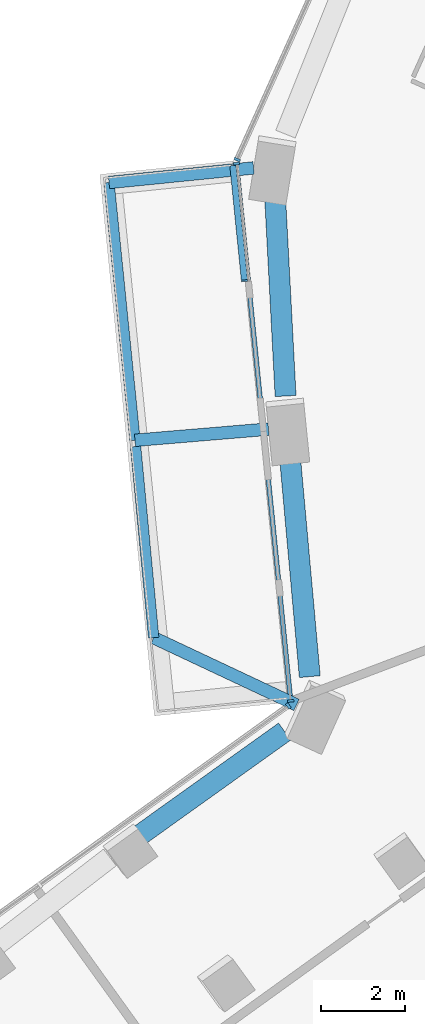
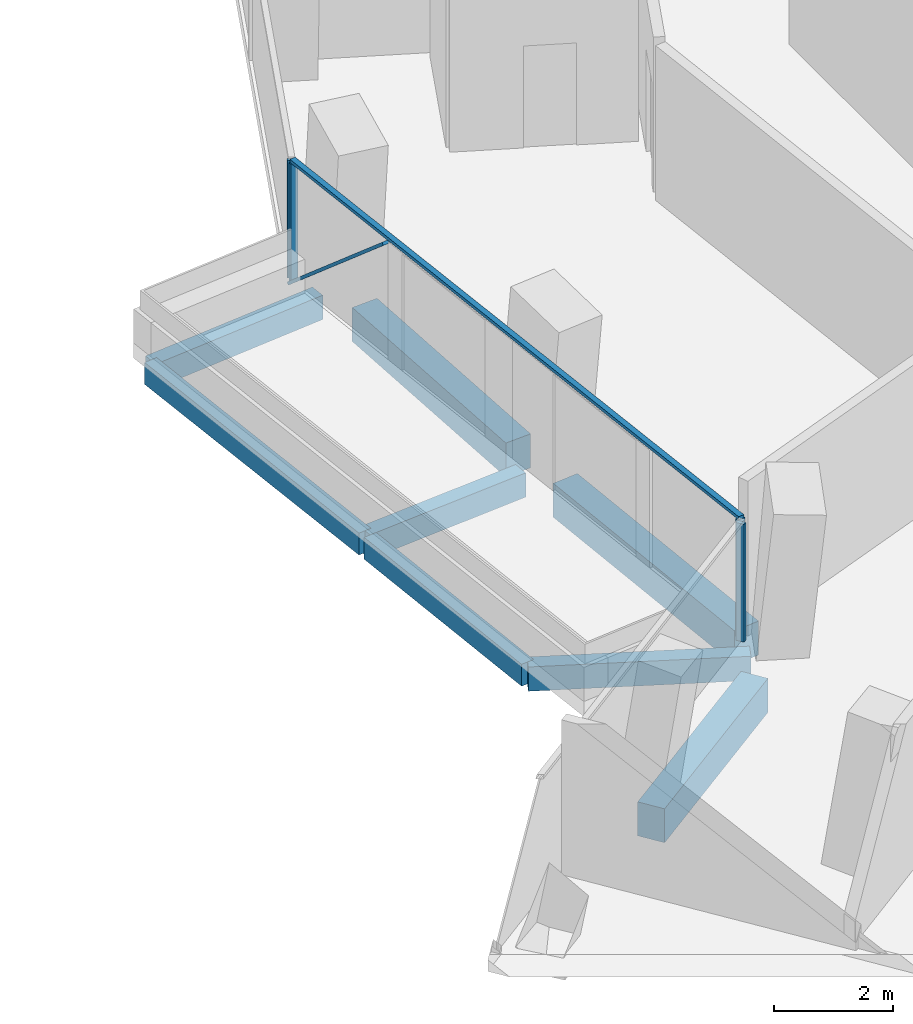
# One storey, part 4 of 26: 8 beams, 6 members, 3 elements without a shape of their own.
"""IFC4 building model written with IfcOpenShell, lengths in metres."""

from ifc_helpers import new_model, si_unit, direction, frame, origin, origin_2d, place, context, subcontext, project, spatial, rectangle, extrude, material, layer, layer_set, material_profile, profile_set, type_object, element, aggregate, save


model = new_model("IFC4")

# Units and contexts
model_context = context("Model", 3, precision=1e-05, world=origin(), true_north=direction((0.0, 1.0)))
body_context = subcontext(model_context, "Body", "Model", "MODEL_VIEW")
ifc_project = project(units=[si_unit("LENGTHUNIT", "METRE"), si_unit("AREAUNIT", "SQUARE_METRE"), si_unit("VOLUMEUNIT", "CUBIC_METRE"), si_unit("PLANEANGLEUNIT", "RADIAN"), si_unit("MASSUNIT", "GRAM", prefix="KILO")], contexts=[model_context])

# Site, building, storey
site_placement = place(None, origin())
site = spatial("IfcSite", under=ifc_project, at=site_placement, CompositionType="ELEMENT")
building_placement = place(site_placement, origin())
building = spatial("IfcBuilding", under=site, at=building_placement, Name="Verdalira Terraces Hotel", CompositionType="ELEMENT")
storey_placement = place(building_placement, frame((0.0, 0.0, 56.5)))
storey = spatial("IfcBuildingStorey", under=building, at=storey_placement, Name="L12", CompositionType="ELEMENT", Elevation=56.5)

# Beams
ifc_material_1 = material(Name="Concrete C40", Category="concrete")
ifc_material_profile_1 = material_profile(ifc_material_1, rectangle(XDim=0.300049, YDim=0.5, at=origin_2d()), Name="RC 300X500")
ifc_profile_set_1 = profile_set([ifc_material_profile_1], Name="Concrete C40")
beam_type_1 = type_object("IfcBeamType", Name="Balcony cantilever beam RC 300X500 C40", PredefinedType="BEAM", material=ifc_profile_set_1)
beam_1_placement = place(storey_placement, frame((-24.297607, 3.866211, -0.560059), z_axis=(-0.994951173, -0.10036017, 0.0), x_axis=(0.10036017, -0.994951173, 0.0)))
element("IfcBeam", 1, at=beam_1_placement, inside=storey, type_object=beam_type_1, Name="Balcony cantilever beam R13-1", PredefinedType="BEAM", context=body_context, shape_type="SweptSolid", body=[
    extrude(rectangle(XDim=0.300049, YDim=0.5, at=origin_2d()), origin(), (0.0, 0.0, 1.0), 3.471436),
])
beam_2_placement = place(storey_placement, frame((-23.940918, -2.37207, -0.560059), z_axis=(-0.996492953, -0.083676728, 0.0), x_axis=(0.083676728, -0.996492953, 0.0)))
element("IfcBeam", 2, at=beam_2_placement, inside=storey, type_object=beam_type_1, Name="Balcony cantilever beam R13-2", PredefinedType="BEAM", context=body_context, shape_type="SweptSolid", body=[
    extrude(rectangle(XDim=0.300049, YDim=0.5, at=origin_2d()), origin(), (0.0, 0.0, 1.0), 3.200684),
])
beam_3_placement = place(storey_placement, frame((-23.272217, -8.960693, -0.560059), z_axis=(-0.90482017, 0.425793918, 0.0), x_axis=(-0.425793918, -0.90482017, 0.0)))
element("IfcBeam", 3, at=beam_3_placement, inside=storey, type_object=beam_type_1, Name="Balcony cantilever beam R13-3", PredefinedType="BEAM", context=body_context, shape_type="SweptSolid", body=[
    extrude(rectangle(XDim=0.300049, YDim=0.5, at=origin_2d()), origin(), (0.0, 0.0, 1.0), 3.77002),
])
ifc_material_2 = material(Name="Concrete C40", Category="concrete")
ifc_material_profile_2 = material_profile(ifc_material_2, rectangle(XDim=0.25, YDim=0.449951, at=origin_2d()), Name="RC 250X450")
ifc_profile_set_2 = profile_set([ifc_material_profile_2], Name="Concrete C40")
beam_type_2 = type_object("IfcBeamType", Name="Balcony edge beam RC 250X450 C40", PredefinedType="BEAM", material=ifc_profile_set_2)
beam_4_placement = place(storey_placement, frame((-27.751465, 3.517822, -0.534912), z_axis=(0.10035513, -0.994951681, 0.0), x_axis=(0.994951681, 0.10035513, 0.0)))
element("IfcBeam", 4, at=beam_4_placement, inside=storey, type_object=beam_type_2, Name="Balcony edge beam R13-1", PredefinedType="BEAM", context=body_context, shape_type="SweptSolid", body=[
    extrude(rectangle(XDim=0.25, YDim=0.449951, at=origin_2d()), origin(), (0.0, 0.0, 1.0), 6.188965),
])
beam_5_placement = place(storey_placement, frame((-27.116211, -2.789307, -0.534912), z_axis=(0.094374522, -0.995536765, 0.0), x_axis=(0.995536765, 0.094374522, 0.0)))
element("IfcBeam", 5, at=beam_5_placement, inside=storey, type_object=beam_type_2, Name="Balcony edge beam R13-2", PredefinedType="BEAM", context=body_context, shape_type="SweptSolid", body=[
    extrude(rectangle(XDim=0.25, YDim=0.449951, at=origin_2d()), origin(), (0.0, 0.0, 1.0), 4.58667),
])

# Curtain wall, member
ifc_material_3 = material(Name="Clear glass", Category="glass")
ifc_layer_1 = layer(ifc_material_3, 0.14990234375)
ifc_layer_set_1 = layer_set([ifc_layer_1], Name="CW1 curtain wall")
curtain_wall_type_1 = type_object("IfcCurtainWallType", Name="CW1 curtain wall", PredefinedType="NOTDEFINED", material=ifc_layer_set_1)
curtain_wall_1_placement = place(storey_placement, origin())
curtain_wall_1 = element("IfcCurtainWall", 6, at=curtain_wall_1_placement, inside=storey, type_object=curtain_wall_type_1, Name="CW1 curtain wall L12 edge 12", PredefinedType="NOTDEFINED")
ifc_material_4 = material(Name="Terracotta frame", Category="masonry")
ifc_material_profile_3 = material_profile(ifc_material_4, rectangle(XDim=0.060059, YDim=0.149902, at=origin_2d()), Name="MU 60x150")
ifc_profile_set_3 = profile_set([ifc_material_profile_3], Name="Terracotta frame")
member_type_1 = type_object("IfcMemberType", Name="CW1 mullion 60x150", PredefinedType="MULLION", material=ifc_profile_set_3)
member_1_placement = place(storey_placement, frame((-24.690918, 4.065674, 0.0), z_axis=(0.0, 0.0, 1.0), x_axis=(-0.410559714, -0.911833714, 0.0)))
member_1 = element("IfcMember", 7, at=member_1_placement, type_object=member_type_1, Name="CW1 mullion", PredefinedType="MULLION", context=body_context, shape_type="SweptSolid", body=[
    extrude(rectangle(XDim=0.060059, YDim=0.149902, at=origin_2d()), origin(), (0.0, 0.0, 1.0), 2.425049),
])
aggregate(curtain_wall_1, [member_1])

# Curtain wall, members
curtain_wall_2_placement = place(storey_placement, origin())
curtain_wall_2 = element("IfcCurtainWall", 8, at=curtain_wall_2_placement, inside=storey, type_object=curtain_wall_type_1, Name="CW1 curtain wall L12 edge 13", PredefinedType="NOTDEFINED")
member_2_placement = place(storey_placement, frame((-24.706543, 3.970215, 0.0), z_axis=(0.0, 0.0, 1.0), x_axis=(0.100361715, -0.994951017, 0.0)))
member_2 = element("IfcMember", 9, at=member_2_placement, type_object=member_type_1, Name="CW1 mullion", PredefinedType="MULLION", context=body_context, shape_type="SweptSolid", body=[
    extrude(rectangle(XDim=0.060059, YDim=0.149902, at=origin_2d()), origin(), (0.0, 0.0, 1.0), 2.425049),
])
member_3_placement = place(storey_placement, frame((-23.411865, -8.864502, 0.0), z_axis=(0.0, 0.0, 1.0), x_axis=(0.100361715, -0.994951017, 0.0)))
member_3 = element("IfcMember", 10, at=member_3_placement, type_object=member_type_1, Name="CW1 mullion", PredefinedType="MULLION", context=body_context, shape_type="SweptSolid", body=[
    extrude(rectangle(XDim=0.060059, YDim=0.149902, at=origin_2d()), origin(), (0.0, 0.0, 1.0), 2.425049),
])
ifc_material_5 = material(Name="Terracotta frame", Category="masonry")
ifc_material_profile_4 = material_profile(ifc_material_5, rectangle(XDim=0.110107, YDim=0.064941, at=origin_2d()), Name="TR 65x110")
ifc_profile_set_4 = profile_set([ifc_material_profile_4], Name="Terracotta frame")
member_type_2 = type_object("IfcMemberType", Name="CW1 transom 65x110", PredefinedType="USERDEFINED", material=ifc_profile_set_4)
member_4_placement = place(storey_placement, frame((-24.709473, 4.0, 2.45752), z_axis=(0.100352345, -0.994951962, 0.0), x_axis=(0.994951962, 0.100352345, 0.0)))
member_4 = element("IfcMember", 11, at=member_4_placement, type_object=member_type_2, Name="CW1 transom", ObjectType="TRANSOM", PredefinedType="USERDEFINED", context=body_context, shape_type="SweptSolid", body=[
    extrude(rectangle(XDim=0.110107, YDim=0.064941, at=origin_2d()), origin(), (0.0, 0.0, 1.0), 12.959717),
])

# Curtain wall, member
ifc_material_6 = material(Name="Clear glass", Category="glass")
ifc_layer_2 = layer(ifc_material_6, 0.14990234375)
ifc_layer_set_2 = layer_set([ifc_layer_2], Name="CW2 curtain wall")
curtain_wall_type_2 = type_object("IfcCurtainWallType", Name="CW2 curtain wall", PredefinedType="NOTDEFINED", material=ifc_layer_set_2)
curtain_wall_3_placement = place(storey_placement, origin())
curtain_wall_3 = element("IfcCurtainWall", 12, at=curtain_wall_3_placement, inside=storey, type_object=curtain_wall_type_2, Name="CW2 curtain wall L12 edge 14", PredefinedType="NOTDEFINED")
ifc_material_7 = material(Name="Terracotta frame", Category="masonry")
ifc_material_profile_5 = material_profile(ifc_material_7, rectangle(XDim=0.070068, YDim=0.149902, at=origin_2d()), Name="MU 70x150")
ifc_profile_set_5 = profile_set([ifc_material_profile_5], Name="Terracotta frame")
member_type_3 = type_object("IfcMemberType", Name="CW2 mullion 70x150", PredefinedType="MULLION", material=ifc_profile_set_5)
member_5_placement = place(storey_placement, frame((-23.468018, -8.983154, 0.0), z_axis=(0.0, 0.0, 1.0), x_axis=(-0.811471999, -0.584391303, 0.0)))
member_5 = element("IfcMember", 13, at=member_5_placement, type_object=member_type_3, Name="CW2 mullion", PredefinedType="MULLION", context=body_context, shape_type="SweptSolid", body=[
    extrude(rectangle(XDim=0.070068, YDim=0.149902, at=origin_2d()), origin(), (0.0, 0.0, 1.0), 2.425049),
])
aggregate(curtain_wall_3, [member_5])

# Member
ifc_material_8 = material(Name="Terracotta frame", Category="masonry")
ifc_material_profile_6 = material_profile(ifc_material_8, rectangle(XDim=0.149902, YDim=0.060059, at=origin_2d()), Name="GB 60x150")
ifc_profile_set_6 = profile_set([ifc_material_profile_6], Name="Terracotta frame")
member_type_4 = type_object("IfcMemberType", Name="Diagonal glazing bar 60x150", PredefinedType="USERDEFINED", material=ifc_profile_set_6)
member_6_placement = place(storey_placement, frame((-24.789307, 3.903809, 0.023926), z_axis=(0.075849455, -0.752039273, 0.654739485), x_axis=(0.994952273, 0.100349264, 0.0)))
member_6 = element("IfcMember", 14, at=member_6_placement, type_object=member_type_4, Name="Diagonal glazing bar", ObjectType="GLAZING BAR", PredefinedType="USERDEFINED", context=body_context, shape_type="SweptSolid", body=[
    extrude(rectangle(XDim=0.149902, YDim=0.060059, at=origin_2d()), origin(), (0.0, 0.0, 1.0), 3.630859),
])

aggregate(curtain_wall_2, [member_2, member_3, member_4, member_6])

# Beams
ifc_material_9 = material(Name="Concrete C70", Category="concrete")
ifc_material_profile_7 = material_profile(ifc_material_9, rectangle(XDim=0.5, YDim=0.699951, at=origin_2d()), Name="RC 500X700")
ifc_profile_set_7 = profile_set([ifc_material_profile_7], Name="Concrete C70")
beam_type_3 = type_object("IfcBeamType", Name="Spandrel beam RC 500X700 C70", PredefinedType="SPANDREL", material=ifc_profile_set_7)
beam_6_placement = place(storey_placement, frame((-23.783691, 3.169922, -0.659912), z_axis=(0.052583066, -0.998616554, 0.0), x_axis=(0.998616554, 0.052583066, 0.0)))
element("IfcBeam", 15, at=beam_6_placement, inside=storey, type_object=beam_type_3, Name="Spandrel beam B12", PredefinedType="SPANDREL", context=body_context, shape_type="SweptSolid", body=[
    extrude(rectangle(XDim=0.5, YDim=0.699951, at=origin_2d()), origin(), (0.0, 0.0, 1.0), 4.759033),
])
beam_7_placement = place(storey_placement, frame((-23.432861, -2.995117, -0.659912), z_axis=(0.089943151, -0.995946901, 0.0), x_axis=(0.995946901, 0.089943151, 0.0)))
element("IfcBeam", 16, at=beam_7_placement, inside=storey, type_object=beam_type_3, Name="Spandrel beam B13", PredefinedType="SPANDREL", context=body_context, shape_type="SweptSolid", body=[
    extrude(rectangle(XDim=0.5, YDim=0.699951, at=origin_2d()), origin(), (0.0, 0.0, 1.0), 5.312012),
])
beam_8_placement = place(storey_placement, frame((-23.555908, -9.596924, -0.659912), z_axis=(-0.813299377, -0.581845447, 0.0), x_axis=(0.581845447, -0.813299377, 0.0)))
element("IfcBeam", 17, at=beam_8_placement, inside=storey, type_object=beam_type_3, Name="Spandrel beam B14", PredefinedType="SPANDREL", context=body_context, shape_type="SweptSolid", body=[
    extrude(rectangle(XDim=0.5, YDim=0.699951, at=origin_2d()), origin(), (0.0, 0.0, 1.0), 4.220215),
])

save(model, "model.ifc")
